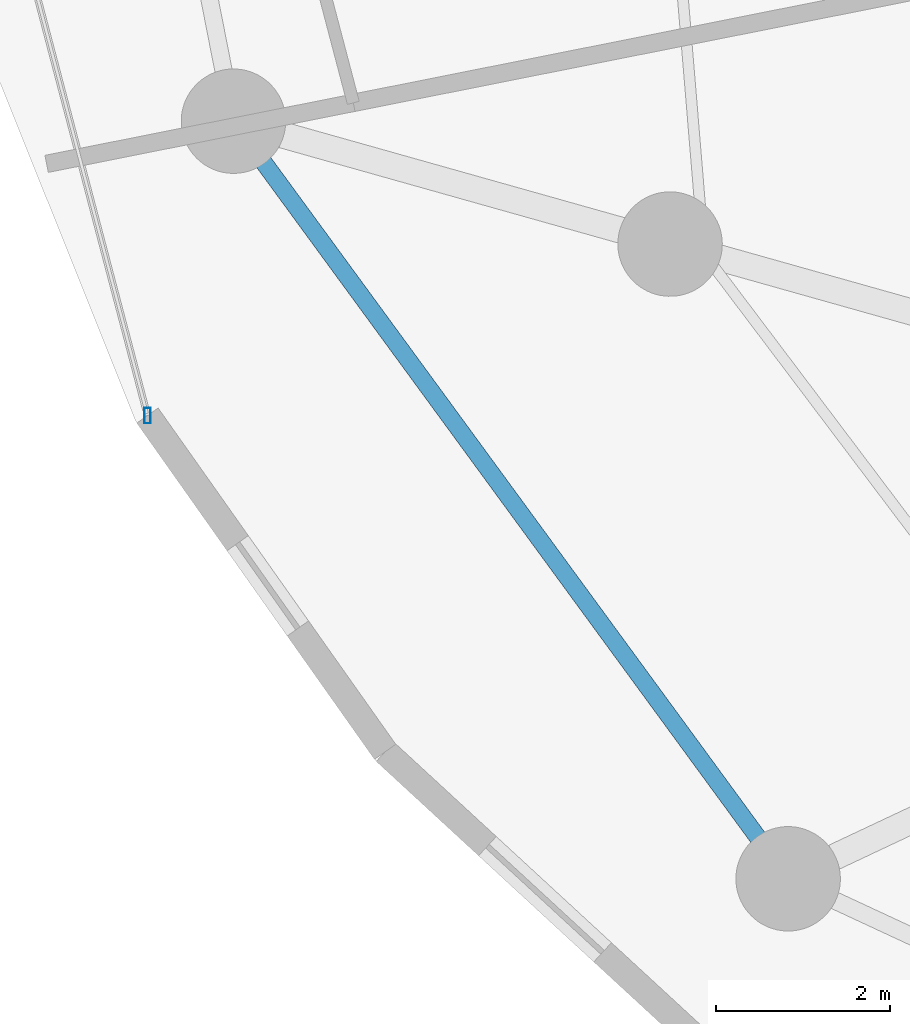
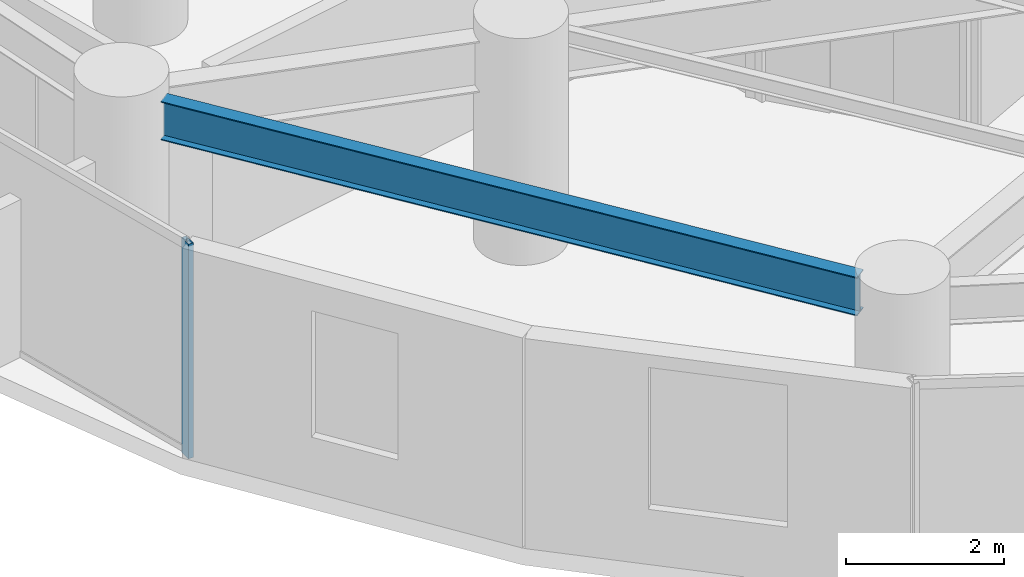
# One storey, part 3 of 35: 1 beam, 1 member, 1 element without a shape of its own.
"""IFC4 building model written with IfcOpenShell, lengths in metres."""

from ifc_helpers import new_model, si_unit, direction, frame, origin, origin_2d, place, context, subcontext, project, spatial, hollow_rectangle, i_section, extrude, material, material_profile, profile_set, type_object, element, aggregate, save


model = new_model("IFC4")

# Units and contexts
model_context = context("Model", 3, precision=1e-05, world=origin(), true_north=direction((0.0, 1.0)))
body_context = subcontext(model_context, "Body", "Model", "MODEL_VIEW")
ifc_project = project(units=[si_unit("LENGTHUNIT", "METRE"), si_unit("AREAUNIT", "SQUARE_METRE"), si_unit("VOLUMEUNIT", "CUBIC_METRE"), si_unit("PLANEANGLEUNIT", "RADIAN"), si_unit("MASSUNIT", "GRAM", prefix="KILO")], contexts=[model_context])

# Site, building, storey
site_placement = place(None, origin())
site = spatial("IfcSite", under=ifc_project, at=site_placement, CompositionType="ELEMENT")
building_placement = place(site_placement, origin())
building = spatial("IfcBuilding", under=site, at=building_placement, Name="Vorneva Point Tower", CompositionType="ELEMENT")
storey_placement = place(building_placement, frame((0.0, 0.0, 48.5)))
storey = spatial("IfcBuildingStorey", under=building, at=storey_placement, Name="L12", CompositionType="ELEMENT", Elevation=48.5)

# Beam
ifc_material_1 = material(Name="Steel S355", Category="steel")
ifc_material_profile_1 = material_profile(ifc_material_1, i_section(OverallWidth=0.198974609375, OverallDepth=0.595947265625, WebThickness=0.010009765625, FlangeThickness=0.014892578125, at=origin_2d()), Name="60B1")
ifc_profile_set_1 = profile_set([ifc_material_profile_1], Name="Steel S355")
beam_type = type_object("IfcBeamType", Name="BM-SPN-60B1", PredefinedType="SPANDREL", material=ifc_profile_set_1)
beam_placement = place(storey_placement, frame((12.03369140625, 20.357666015625, 2.94189453125), z_axis=(0.590713179556, -0.806881614302, 0.0), x_axis=(0.806881614302, 0.590713179556, 0.0)))
element("IfcBeam", 1, at=beam_placement, inside=storey, type_object=beam_type, Name="L12 Perimeter Spandrel Ring Beam 10", PredefinedType="SPANDREL", context=body_context, shape_type="SweptSolid", body=[
    extrude(i_section(OverallWidth=0.198974609375, OverallDepth=0.595947265625, WebThickness=0.010009765625, FlangeThickness=0.014892578125, at=origin_2d()), origin(), (0.0, 0.0, 1.0), 9.619140625),
])

# Curtain wall, member
ifc_material_2 = material(Name="Pale anodised aluminium", Category="aluminium")
curtain_wall_type = type_object("IfcCurtainWallType", Name="CW-HTL-SYS", PredefinedType="NOTDEFINED", material=ifc_material_2)
curtain_wall_placement = place(storey_placement, origin())
curtain_wall = element("IfcCurtainWall", 2, at=curtain_wall_placement, inside=storey, type_object=curtain_wall_type, Name="L12 Unitised Curtain Wall CW-L12-R03", PredefinedType="NOTDEFINED")
ifc_material_profile_2 = material_profile(ifc_material_2, hollow_rectangle(XDim=0.074951171875, YDim=0.179931640625, WallThickness=0.00390625, at=origin_2d()), Name="AL-MUL 180x75x4")
ifc_profile_set_2 = profile_set([ifc_material_profile_2], Name="Pale anodised aluminium")
member_type = type_object("IfcMemberType", Name="CW-MUL-180", PredefinedType="MULLION", material=ifc_profile_set_2)
member_placement = place(storey_placement, frame((10.699462890625, 17.447021484375, -0.0400390625), z_axis=(0.0, 0.0, 1.0), x_axis=(1.0, 0.0, 0.0)))
member = element("IfcMember", 3, at=member_placement, type_object=member_type, Name="CW-L12-R03 Mullion 03", PredefinedType="MULLION", context=body_context, shape_type="SweptSolid", body=[
    extrude(hollow_rectangle(XDim=0.074951171875, YDim=0.179931640625, WallThickness=0.00390625, at=origin_2d()), origin(), (0.0, 0.0, 1.0), 3.31005859375),
])
aggregate(curtain_wall, [member])

save(model, "model.ifc")
